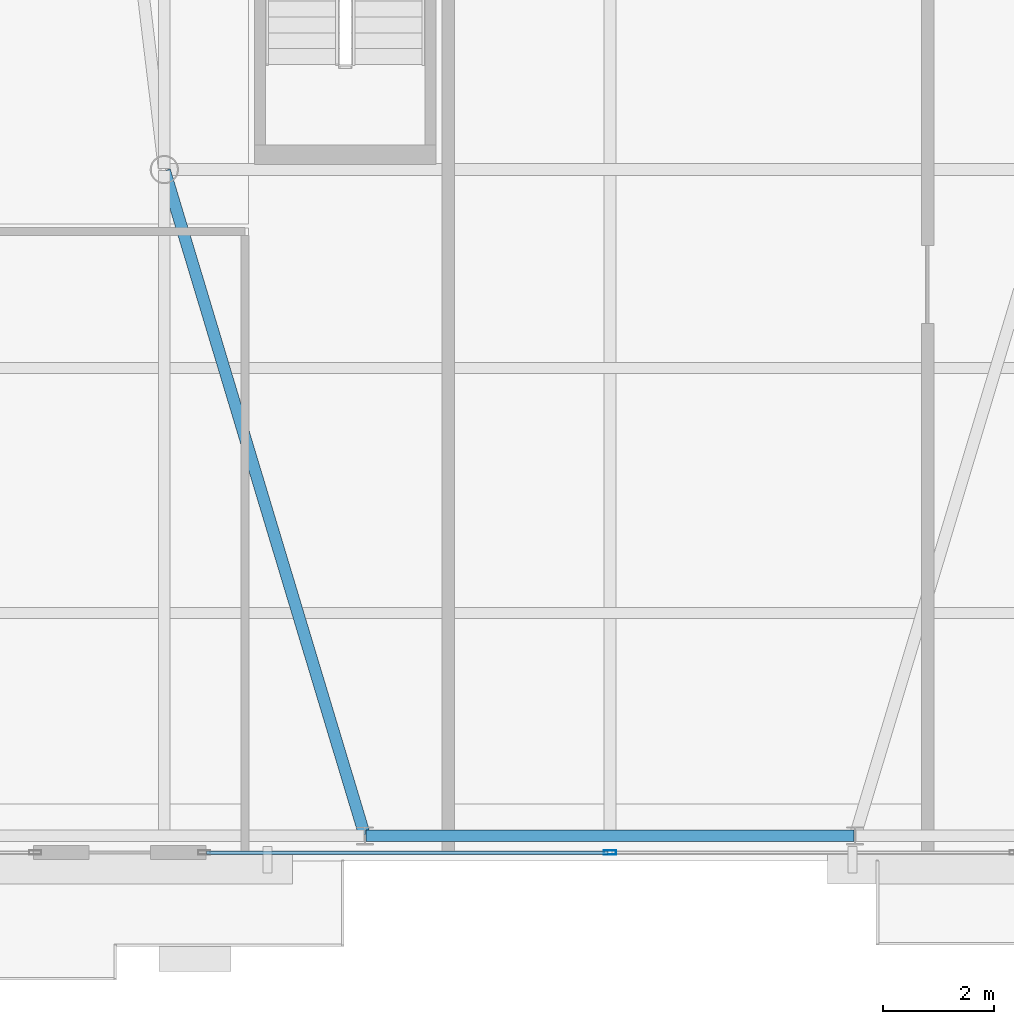
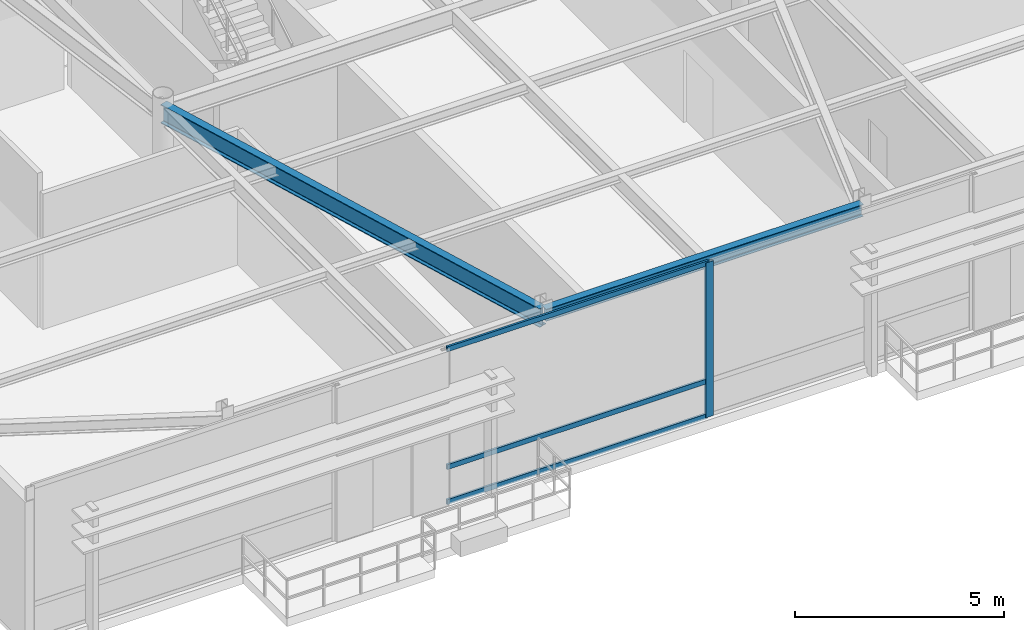
# One storey, part 6 of 22: 4 members, 2 beams, 1 element without a shape of its own.
"""IFC4 building model written with IfcOpenShell, lengths in metres."""

from ifc_helpers import new_model, si_unit, direction, frame, origin, origin_2d, place, context, subcontext, project, spatial, hollow_rectangle, i_section, extrude, source, transform, mapped, material, layer, layer_set, material_profile, profile_set, type_object, type_shapes, element, aggregate, save


model = new_model("IFC4")

# Units and contexts
model_context = context("Model", 3, precision=1e-05, world=origin(), true_north=direction((0.0, 1.0)))
body_context = subcontext(model_context, "Body", "Model", "MODEL_VIEW")
ifc_project = project(units=[si_unit("LENGTHUNIT", "METRE"), si_unit("AREAUNIT", "SQUARE_METRE"), si_unit("VOLUMEUNIT", "CUBIC_METRE"), si_unit("PLANEANGLEUNIT", "RADIAN"), si_unit("MASSUNIT", "GRAM", prefix="KILO")], contexts=[model_context])

# Site, building, storey
site_placement = place(None, origin())
site = spatial("IfcSite", under=ifc_project, at=site_placement, CompositionType="ELEMENT")
building_placement = place(site_placement, origin())
building = spatial("IfcBuilding", under=site, at=building_placement, Name="Varnel Quay Broadcast Tower", CompositionType="ELEMENT")
storey_placement = place(building_placement, frame((0.0, 0.0, 305.0)))
storey = spatial("IfcBuildingStorey", under=building, at=storey_placement, Name="L76", CompositionType="ELEMENT", Elevation=305.0)

# Beams
ifc_material_1 = material(Name="Structural Steel CSA G40.21 350W", Category="steel")
ifc_material_profile_1 = material_profile(ifc_material_1, i_section(OverallWidth=0.205078125, OverallDepth=0.35400390625, WebThickness=0.009521484375, FlangeThickness=0.016845703125, FilletRadius=0.012939453125, at=origin_2d()), Name="W360X79")
ifc_profile_set_1 = profile_set([ifc_material_profile_1], Name="Structural Steel CSA G40.21 350W")
beam_type_1 = type_object("IfcBeamType", Name="Beam_W360X79", PredefinedType="SPANDREL", material=ifc_profile_set_1)
shared_shape_1 = source(origin(), body_context, "Body", "SweptSolid", [
    extrude(i_section(OverallWidth=0.205078125, OverallDepth=0.35400390625, WebThickness=0.009521484375, FlangeThickness=0.016845703125, FilletRadius=0.012939453125, at=origin_2d()), origin(), (0.0, 0.0, 1.0), 8.759765625),
])
type_shapes(beam_type_1, [shared_shape_1])
beam_1_placement = place(storey_placement, frame((29.6201171875, 13.64990234375, 4.343017578125), z_axis=(1.0, 0.0, 0.0), x_axis=(0.0, 1.0, 0.0)))
element("IfcBeam", 1, at=beam_1_placement, inside=storey, type_object=beam_type_1, Name="L76 South Spandrel TC-S2-TC-S3", PredefinedType="SPANDREL", context=body_context, shape_type="MappedRepresentation", body=[
    mapped(shared_shape_1, transform((0.0, 0.0, 0.0), x_axis=(1.0, 0.0, 0.0), y_axis=(0.0, 1.0, 0.0), z_axis=(0.0, 0.0, 1.0), scale=1.0)),
])
ifc_material_profile_2 = material_profile(ifc_material_1, i_section(OverallWidth=0.2119140625, OverallDepth=0.5439453125, WebThickness=0.01318359375, FlangeThickness=0.021240234375, FilletRadius=0.013916015625, at=origin_2d()), Name="W530X123")
ifc_profile_set_2 = profile_set([ifc_material_profile_2], Name="Structural Steel CSA G40.21 350W")
beam_type_2 = type_object("IfcBeamType", Name="Girder_W530X123", PredefinedType="BEAM", material=ifc_profile_set_2)
shared_shape_2 = source(origin(), body_context, "Body", "SweptSolid", [
    extrude(i_section(OverallWidth=0.2119140625, OverallDepth=0.5439453125, WebThickness=0.01318359375, FlangeThickness=0.021240234375, FilletRadius=0.013916015625, at=origin_2d()), origin(), (0.0, 0.0, 1.0), 12.449951171875),
])
type_shapes(beam_type_2, [shared_shape_2])
beam_2_placement = place(storey_placement, frame((29.59423828125, 13.669189453125, 4.248046875), z_axis=(-0.28822390679, 0.957563042078, 0.0), x_axis=(-0.957563042078, -0.28822390679, 0.0)))
element("IfcBeam", 2, at=beam_2_placement, inside=storey, type_object=beam_type_2, Name="L76 Primary Girder TC-S2-IC-01", PredefinedType="BEAM", context=body_context, shape_type="MappedRepresentation", body=[
    mapped(shared_shape_2, transform((0.0, 0.0, 0.0), x_axis=(1.0, 0.0, 0.0), y_axis=(0.0, 1.0, 0.0), z_axis=(0.0, 0.0, 1.0), scale=1.0)),
])

# Curtain wall, members
ifc_material_2 = material(Name="Anodised Bronze Aluminium 6063-T6", Category="aluminium")
ifc_layer = layer(ifc_material_2, 0.18994140625, Name="Anodised Bronze Aluminium 6063-T6")
ifc_layer_set = layer_set([ifc_layer], Name="Anodised Bronze Aluminium 6063-T6")
curtain_wall_type = type_object("IfcCurtainWallType", Name="CW_SkyObsHighVis", PredefinedType="NOTDEFINED", material=ifc_layer_set)
curtain_wall_placement = place(storey_placement, origin())
curtain_wall = element("IfcCurtainWall", 3, at=curtain_wall_placement, inside=storey, type_object=curtain_wall_type, Name="L76 South Unitised Curtain Wall 2", PredefinedType="NOTDEFINED")
ifc_material_profile_3 = material_profile(ifc_material_2, hollow_rectangle(XDim=0.074951171875, YDim=0.219970703125, WallThickness=0.00390625, at=origin_2d()), Name="ALU75X220X4")
ifc_profile_set_3 = profile_set([ifc_material_profile_3], Name="Anodised Bronze Aluminium 6063-T6")
member_type_1 = type_object("IfcMemberType", Name="Mull_CWS-05", PredefinedType="MULLION", material=ifc_profile_set_3)
shared_shape_3 = source(origin(), body_context, "Body", "SweptSolid", [
    extrude(hollow_rectangle(XDim=0.074951171875, YDim=0.219970703125, WallThickness=0.00390625, at=origin_2d()), origin(), (0.0, 0.0, 1.0), 4.52001953125),
])
type_shapes(member_type_1, [shared_shape_3])
member_1_placement = place(storey_placement, frame((34.0, 13.35009765625, 0.0), z_axis=(0.0, 0.0, 1.0), x_axis=(0.0, 1.0, 0.0)))
member_1 = element("IfcMember", 4, at=member_1_placement, type_object=member_type_1, Name="CWS-05 mullion 2", PredefinedType="MULLION", context=body_context, shape_type="MappedRepresentation", body=[
    mapped(shared_shape_3, transform((0.0, 0.0, 0.0), x_axis=(1.0, 0.0, 0.0), y_axis=(0.0, 1.0, 0.0), z_axis=(0.0, 0.0, 1.0), scale=1.0)),
])
ifc_material_profile_4 = material_profile(ifc_material_2, hollow_rectangle(XDim=0.06005859375, YDim=0.14501953125, WallThickness=0.00341796875, at=origin_2d()), Name="ALU60X145X3.5")
ifc_profile_set_4 = profile_set([ifc_material_profile_4], Name="Anodised Bronze Aluminium 6063-T6")
member_type_2 = type_object("IfcMemberType", Name="Tran_CWS-05", PredefinedType="USERDEFINED", material=ifc_profile_set_4)
shared_shape_4 = source(origin(), body_context, "Body", "SweptSolid", [
    extrude(hollow_rectangle(XDim=0.06005859375, YDim=0.14501953125, WallThickness=0.00341796875, at=origin_2d()), origin(), (0.0, 0.0, 1.0), 7.20751953125),
])
type_shapes(member_type_2, [shared_shape_4])
member_2_placement = place(storey_placement, frame((26.7548828125, 13.35009765625, 0.030029296875), z_axis=(1.0, 0.0, 0.0), x_axis=(0.0, 1.0, 0.0)))
member_2 = element("IfcMember", 5, at=member_2_placement, type_object=member_type_2, Name="CWS-05 transom 1.1", ObjectType="TRANSOM", PredefinedType="USERDEFINED", context=body_context, shape_type="MappedRepresentation", body=[
    mapped(shared_shape_4, transform((0.0, 0.0, 0.0), x_axis=(1.0, 0.0, 0.0), y_axis=(0.0, 1.0, 0.0), z_axis=(0.0, 0.0, 1.0), scale=1.0)),
])
member_3_placement = place(storey_placement, frame((26.7548828125, 13.35009765625, 1.050048828125), z_axis=(1.0, 0.0, 0.0), x_axis=(0.0, 1.0, 0.0)))
member_3 = element("IfcMember", 6, at=member_3_placement, type_object=member_type_2, Name="CWS-05 transom 1.2", ObjectType="TRANSOM", PredefinedType="USERDEFINED", context=body_context, shape_type="MappedRepresentation", body=[
    mapped(shared_shape_4, transform((0.0, 0.0, 0.0), x_axis=(1.0, 0.0, 0.0), y_axis=(0.0, 1.0, 0.0), z_axis=(0.0, 0.0, 1.0), scale=1.0)),
])
member_4_placement = place(storey_placement, frame((26.7548828125, 13.35009765625, 4.489990234375), z_axis=(1.0, 0.0, 0.0), x_axis=(0.0, 1.0, 0.0)))
member_4 = element("IfcMember", 7, at=member_4_placement, type_object=member_type_2, Name="CWS-05 transom 1.3", ObjectType="TRANSOM", PredefinedType="USERDEFINED", context=body_context, shape_type="MappedRepresentation", body=[
    mapped(shared_shape_4, transform((0.0, 0.0, 0.0), x_axis=(1.0, 0.0, 0.0), y_axis=(0.0, 1.0, 0.0), z_axis=(0.0, 0.0, 1.0), scale=1.0)),
])
aggregate(curtain_wall, [member_1, member_2, member_3, member_4])

save(model, "model.ifc")
